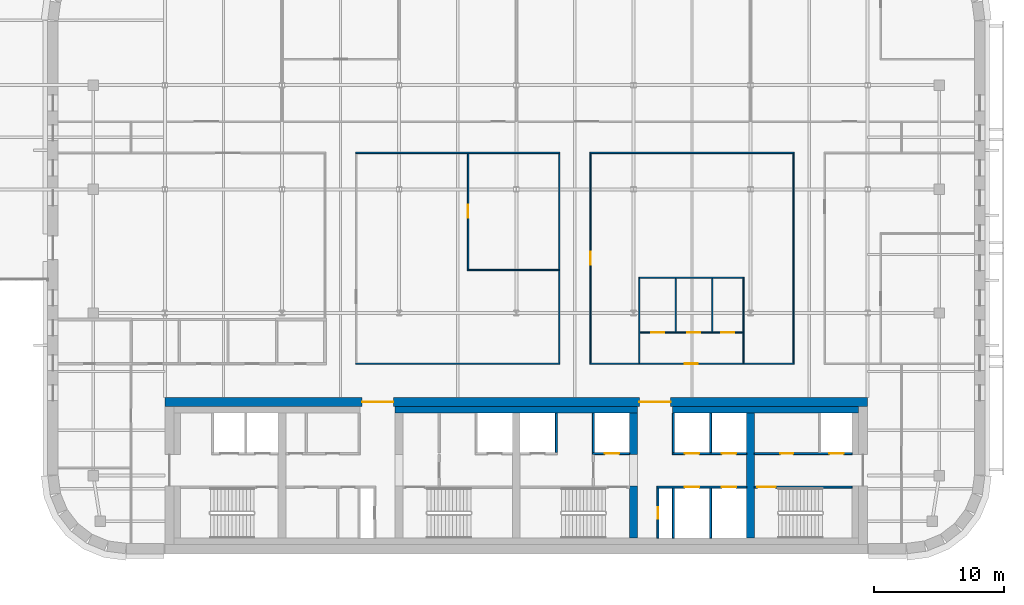
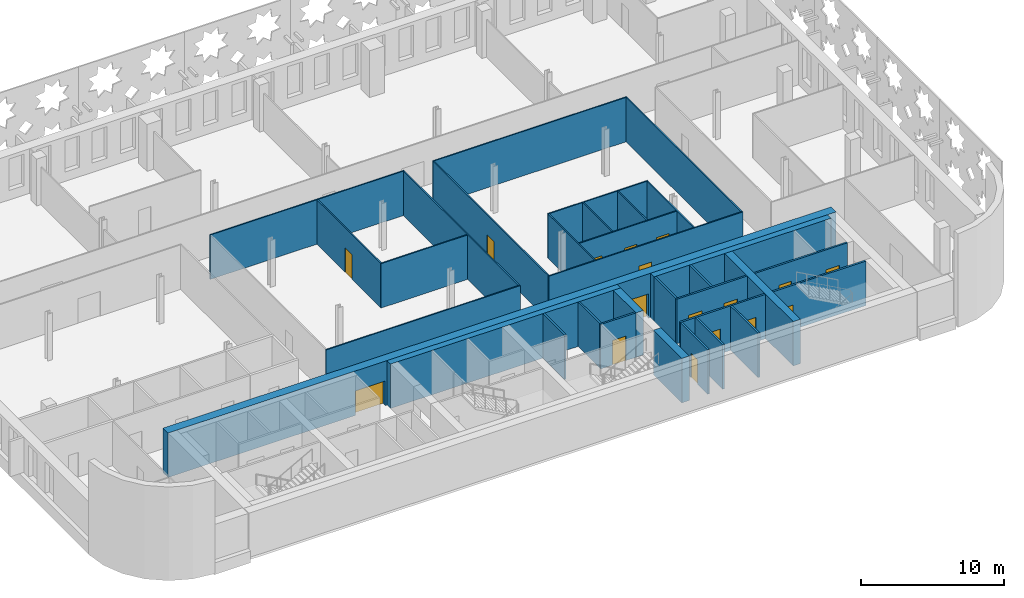
# One storey, part 8 of 17: 33 walls, 17 doors, 17 openings.
"""IFC4 building model written with IfcOpenShell, lengths in metres."""

from ifc_helpers import new_model, si_unit, direction, frame, frame_2d, origin, place, context, subcontext, project, spatial, rectangle, extrude, material, layer, layer_set, type_object, element, fill, save


model = new_model("IFC4")

# Units and contexts
model_context = context("Model", 3, precision=1e-05, world=origin(), true_north=direction((0.0, 1.0)))
body_context = subcontext(model_context, "Body", "Model", "MODEL_VIEW")
ifc_project = project(units=[si_unit("LENGTHUNIT", "METRE"), si_unit("AREAUNIT", "SQUARE_METRE"), si_unit("VOLUMEUNIT", "CUBIC_METRE"), si_unit("PLANEANGLEUNIT", "RADIAN"), si_unit("MASSUNIT", "GRAM", prefix="KILO")], contexts=[model_context])

# Site, building, storey
site_placement = place(None, origin())
site = spatial("IfcSite", under=ifc_project, at=site_placement, CompositionType="ELEMENT")
building_placement = place(site_placement, origin())
building = spatial("IfcBuilding", under=site, at=building_placement, Name="Zellij Exchange Tower", CompositionType="ELEMENT")
storey_placement = place(building_placement, frame((0.0, 0.0, 256.5)))
storey = spatial("IfcBuildingStorey", under=building, at=storey_placement, Name="L60", CompositionType="ELEMENT", Elevation=256.5)

# Walls
ifc_material_1 = material(Name="Concrete C50/60", Category="concrete")
ifc_layer_1 = layer(ifc_material_1, 0.60009765625)
ifc_layer_set_1 = layer_set([ifc_layer_1], Name="Concrete C50/60")
wall_type_1 = type_object("IfcWallType", Name="CORE-CW 600 C50/60", PredefinedType="SHEAR", material=ifc_layer_set_1)
wall_1_placement = place(storey_placement, frame((9.0, -12.800048828125, 0.0), z_axis=(0.0, 0.0, 1.0), x_axis=(0.0, 1.0, 0.0)))
element("IfcWall", 1, at=wall_1_placement, inside=storey, type_object=wall_type_1, Name="Core cross wall pier x 9 a L60", PredefinedType="SHEAR", context=body_context, shape_type="SweptSolid", body=[
    extrude(rectangle(XDim=4.0, YDim=0.60009765625, at=frame_2d((2.0, 0.0))), origin(), (0.0, 0.0, 1.0), 3.800048828125),
])
wall_2_placement = place(storey_placement, frame((9.0, -6.375, 0.0), z_axis=(0.0, 0.0, 1.0), x_axis=(0.0, 1.0, 0.0)))
element("IfcWall", 2, at=wall_2_placement, inside=storey, type_object=wall_type_1, Name="Core cross wall pier x 9 b L60", PredefinedType="SHEAR", context=body_context, shape_type="SweptSolid", body=[
    extrude(rectangle(XDim=3.175048828125, YDim=0.60009765625, at=frame_2d((1.58740234375, 0.0))), origin(), (0.0, 0.0, 1.0), 3.800048828125),
])
wall_3_placement = place(storey_placement, frame((18.0, -12.800048828125, 0.0), z_axis=(0.0, 0.0, 1.0), x_axis=(0.0, 1.0, 0.0)))
element("IfcWall", 3, at=wall_3_placement, inside=storey, type_object=wall_type_1, Name="Core cross wall x 18 L60", PredefinedType="SHEAR", context=body_context, shape_type="SweptSolid", body=[
    extrude(rectangle(XDim=9.60009765625, YDim=0.60009765625, at=frame_2d((4.800048828125, 0.0))), origin(), (0.0, 0.0, 1.0), 3.800048828125),
])
ifc_material_2 = material(Name="Concrete C30/37", Category="concrete")
ifc_layer_2 = layer(ifc_material_2, 0.5)
ifc_layer_set_2 = layer_set([ifc_layer_2], Name="Concrete C30/37")
wall_type_2 = type_object("IfcWallType", Name="CORE-LW 500 C30/37", PredefinedType="SHEAR", material=ifc_layer_set_2)
wall_4_placement = place(storey_placement, frame((-9.300048828125, -2.949951171875, 0.0), z_axis=(0.0, 0.0, 1.0), x_axis=(1.0, 0.0, 0.0)))
element("IfcWall", 4, at=wall_4_placement, inside=storey, type_object=wall_type_2, Name="Core wall lining front.1 L60", PredefinedType="SHEAR", context=body_context, shape_type="SweptSolid", body=[
    extrude(rectangle(XDim=18.60009765625, YDim=0.5, at=frame_2d((9.300048828125, 0.0))), origin(), (0.0, 0.0, 1.0), 3.800048828125),
])
wall_5_placement = place(storey_placement, frame((12.0, -2.949951171875, 0.0), z_axis=(0.0, 0.0, 1.0), x_axis=(1.0, 0.0, 0.0)))
element("IfcWall", 5, at=wall_5_placement, inside=storey, type_object=wall_type_2, Name="Core wall lining front.2 L60", PredefinedType="SHEAR", context=body_context, shape_type="SweptSolid", body=[
    extrude(rectangle(XDim=14.300048828125, YDim=0.5, at=frame_2d((7.14990234375, 0.0))), origin(), (0.0, 0.0, 1.0), 3.800048828125),
])

# Wall, opening, door
ifc_material_3 = material(Name="Gypsum board partition")
ifc_layer_3 = layer(ifc_material_3, 0.14990234375)
ifc_layer_set_3 = layer_set([ifc_layer_3], Name="Gypsum board partition")
wall_type_3 = type_object("IfcWallType", Name="CORE-PW 150 Lift lobby wall", PredefinedType="PARTITIONING", material=ifc_layer_set_3)
wall_6_placement = place(storey_placement, frame((10.875, -12.800048828125, 0.0), z_axis=(0.0, 0.0, 1.0), x_axis=(0.0, 1.0, 0.0)))
wall_6 = element("IfcWall", 6, at=wall_6_placement, inside=storey, type_object=wall_type_3, Name="Lift lobby wall L60", PredefinedType="PARTITIONING", context=body_context, shape_type="SweptSolid", body=[
    extrude(rectangle(XDim=3.85009765625, YDim=0.14990234375, at=frame_2d((1.925048828125, 0.0))), origin(), (0.0, 0.0, 1.0), 3.800048828125),
])
opening_1_placement = place(wall_6_placement, frame((1.47509765625, 0.0, 0.0)))
opening_1 = element("IfcOpeningElement", 7, at=opening_1_placement, cuts=wall_6, Name="Opening CA-31.19", PredefinedType="OPENING", context=body_context, shape_type="SweptSolid", body=[
    extrude(rectangle(XDim=0.89990234375, YDim=2.10009765625, at=frame_2d((0.449951171875, 1.050048828125))), frame((0.0, 0.0869140625, 0.0), z_axis=(0.0, -1.0, 0.0), x_axis=(1.0, 0.0, 0.0)), (0.0, 0.0, 1.0), 0.173828125),
])
ifc_material_4 = material(Name="Hollow metal fire door")
door_type_1 = type_object("IfcDoorType", Name="CORE-D RD Riser door 900x2100 1.5 HR", OperationType="NOTDEFINED", PredefinedType="DOOR", material=ifc_material_4)
door_1_placement = place(opening_1_placement, origin())
door_1 = element("IfcDoor", 8, at=door_1_placement, inside=storey, type_object=door_type_1, Name="Riser door CA-31.19", OperationType="SINGLE_SWING_LEFT", OverallHeight=2.10009765625, OverallWidth=0.89990234375, PredefinedType="DOOR", context=body_context, shape_type="SweptSolid", body=[
    extrude(rectangle(XDim=0.89990234375, YDim=2.10009765625, at=frame_2d((0.449951171875, 1.050048828125))), frame((0.0, 0.02490234375, 0.0), z_axis=(0.0, -1.0, 0.0), x_axis=(1.0, 0.0, 0.0)), (0.0, 0.0, 1.0), 0.050048828125),
])
fill(opening_1, door_1)

# Walls
ifc_material_5 = material(Name="Gypsum shaft wall system")
ifc_layer_4 = layer(ifc_material_5, 0.14990234375)
ifc_layer_set_4 = layer_set([ifc_layer_4], Name="Gypsum shaft wall system")
wall_type_4 = type_object("IfcWallType", Name="CORE-PW 150 Lift shaft wall", PredefinedType="PARTITIONING", material=ifc_layer_set_4)
for number, where, z_axis, x_axis, name in (
    (9, (3.074951171875, -6.22509765625, 0.0), (0.0, 0.0, 1.0), (0.0, 1.0, 0.0), "Lift shaft wall L60"),
    (10, (5.925048828125, -6.22509765625, 0.0), (0.0, 0.0, 1.0), (0.0, 1.0, 0.0), "Lift shaft wall L60"),
    (11, (12.074951171875, -6.22509765625, 0.0), (0.0, 0.0, 1.0), (0.0, 1.0, 0.0), "Lift shaft wall L60"),
    (12, (14.925048828125, -6.22509765625, 0.0), (0.0, 0.0, 1.0), (0.0, 1.0, 0.0), "Lift shaft wall L60"),
):
    element("IfcWall", number, at=place(storey_placement, frame(where, z_axis=z_axis, x_axis=x_axis)), inside=storey, type_object=wall_type_4, Name=name, PredefinedType="PARTITIONING", context=body_context, shape_type="SweptSolid", body=[
        extrude(rectangle(XDim=3.025146484375, YDim=0.14990234375, at=frame_2d((1.5126953125, 0.0))), origin(), (0.0, 0.0, 1.0), 3.800048828125),
    ])
for number, where, z_axis, x_axis, name in (
    (13, (12.074951171875, -12.800048828125, 0.0), (0.0, 0.0, 1.0), (0.0, 1.0, 0.0), "Lift shaft wall L60"),
    (14, (14.925048828125, -12.800048828125, 0.0), (0.0, 0.0, 1.0), (0.0, 1.0, 0.0), "Lift shaft wall L60"),
):
    element("IfcWall", number, at=place(storey_placement, frame(where, z_axis=z_axis, x_axis=x_axis)), inside=storey, type_object=wall_type_4, Name=name, PredefinedType="PARTITIONING", context=body_context, shape_type="SweptSolid", body=[
        extrude(rectangle(XDim=3.85009765625, YDim=0.14990234375, at=frame_2d((1.925048828125, 0.0))), origin(), (0.0, 0.0, 1.0), 3.800048828125),
    ])

# Wall, opening, door
wall_7_placement = place(storey_placement, frame((5.85009765625, -6.300048828125, 0.0), z_axis=(0.0, 0.0, 1.0), x_axis=(1.0, 0.0, 0.0)))
wall_7 = element("IfcWall", 15, at=wall_7_placement, inside=storey, type_object=wall_type_4, Name="Lift shaft wall L60", PredefinedType="PARTITIONING", context=body_context, shape_type="SweptSolid", body=[
    extrude(rectangle(XDim=2.849853515625, YDim=0.14990234375, at=frame_2d((1.4248046875, 0.0))), origin(), (0.0, 0.0, 1.0), 3.800048828125),
])
opening_2_placement = place(wall_7_placement, frame((0.949951171875, 0.0, 0.0)))
opening_2 = element("IfcOpeningElement", 16, at=opening_2_placement, cuts=wall_7, Name="Opening CA-31.16", PredefinedType="OPENING", context=body_context, shape_type="SweptSolid", body=[
    extrude(rectangle(XDim=1.10009765625, YDim=2.10009765625, at=frame_2d((0.550048828125, 1.050048828125))), frame((0.0, 0.0869140625, 0.0), z_axis=(0.0, -1.0, 0.0), x_axis=(1.0, 0.0, 0.0)), (0.0, 0.0, 1.0), 0.173828125),
])
door_type_2 = type_object("IfcDoorType", Name="CORE-D LD Lift landing door 1100x2100 1.5 HR", OperationType="NOTDEFINED", PredefinedType="DOOR", material=ifc_material_4)
door_2_placement = place(opening_2_placement, origin())
door_2 = element("IfcDoor", 17, at=door_2_placement, inside=storey, type_object=door_type_2, Name="Lift landing door CA-31.16", OperationType="SLIDING_TO_RIGHT", OverallHeight=2.10009765625, OverallWidth=1.10009765625, PredefinedType="DOOR", context=body_context, shape_type="SweptSolid", body=[
    extrude(rectangle(XDim=1.10009765625, YDim=2.10009765625, at=frame_2d((0.550048828125, 1.050048828125))), frame((0.0, 0.02490234375, 0.0), z_axis=(0.0, -1.0, 0.0), x_axis=(1.0, 0.0, 0.0)), (0.0, 0.0, 1.0), 0.050048828125),
])
fill(opening_2, door_2)

# Wall, openings, doors
wall_8_placement = place(storey_placement, frame((12.0, -6.300048828125, 0.0), z_axis=(0.0, 0.0, 1.0), x_axis=(1.0, 0.0, 0.0)))
wall_8 = element("IfcWall", 18, at=wall_8_placement, inside=storey, type_object=wall_type_4, Name="Lift shaft wall L60", PredefinedType="PARTITIONING", context=body_context, shape_type="SweptSolid", body=[
    extrude(rectangle(XDim=5.699951171875, YDim=0.14990234375, at=frame_2d((2.85009765625, 0.0))), origin(), (0.0, 0.0, 1.0), 3.800048828125),
])
opening_3_placement = place(wall_8_placement, frame((0.949951171875, 0.0, 0.0)))
opening_3 = element("IfcOpeningElement", 19, at=opening_3_placement, cuts=wall_8, Name="Opening CA-31.21", PredefinedType="OPENING", context=body_context, shape_type="SweptSolid", body=[
    extrude(rectangle(XDim=1.10009765625, YDim=2.10009765625, at=frame_2d((0.550048828125, 1.050048828125))), frame((0.0, 0.0869140625, 0.0), z_axis=(0.0, -1.0, 0.0), x_axis=(1.0, 0.0, 0.0)), (0.0, 0.0, 1.0), 0.173828125),
])
opening_4_placement = place(wall_8_placement, frame((3.800048828125, 0.0, 0.0)))
opening_4 = element("IfcOpeningElement", 20, at=opening_4_placement, cuts=wall_8, Name="Opening CA-31.23", PredefinedType="OPENING", context=body_context, shape_type="SweptSolid", body=[
    extrude(rectangle(XDim=1.10009765625, YDim=2.10009765625, at=frame_2d((0.550048828125, 1.050048828125))), frame((0.0, 0.0869140625, 0.0), z_axis=(0.0, -1.0, 0.0), x_axis=(1.0, 0.0, 0.0)), (0.0, 0.0, 1.0), 0.173828125),
])
door_3_placement = place(opening_3_placement, origin())
door_3 = element("IfcDoor", 21, at=door_3_placement, inside=storey, type_object=door_type_2, Name="Lift landing door CA-31.21", OperationType="SLIDING_TO_LEFT", OverallHeight=2.10009765625, OverallWidth=1.10009765625, PredefinedType="DOOR", context=body_context, shape_type="SweptSolid", body=[
    extrude(rectangle(XDim=1.10009765625, YDim=2.10009765625, at=frame_2d((0.550048828125, 1.050048828125))), frame((0.0, 0.02490234375, 0.0), z_axis=(0.0, -1.0, 0.0), x_axis=(1.0, 0.0, 0.0)), (0.0, 0.0, 1.0), 0.050048828125),
])
fill(opening_3, door_3)
door_4_placement = place(opening_4_placement, origin())
door_4 = element("IfcDoor", 22, at=door_4_placement, inside=storey, type_object=door_type_2, Name="Lift landing door CA-31.23", OperationType="SLIDING_TO_LEFT", OverallHeight=2.10009765625, OverallWidth=1.10009765625, PredefinedType="DOOR", context=body_context, shape_type="SweptSolid", body=[
    extrude(rectangle(XDim=1.10009765625, YDim=2.10009765625, at=frame_2d((0.550048828125, 1.050048828125))), frame((0.0, 0.02490234375, 0.0), z_axis=(0.0, -1.0, 0.0), x_axis=(1.0, 0.0, 0.0)), (0.0, 0.0, 1.0), 0.050048828125),
])
fill(opening_4, door_4)

wall_9_placement = place(storey_placement, frame((18.300048828125, -6.300048828125, 0.0), z_axis=(0.0, 0.0, 1.0), x_axis=(1.0, 0.0, 0.0)))
wall_9 = element("IfcWall", 23, at=wall_9_placement, inside=storey, type_object=wall_type_4, Name="Lift shaft wall L60", PredefinedType="PARTITIONING", context=body_context, shape_type="SweptSolid", body=[
    extrude(rectangle(XDim=7.5, YDim=0.14990234375, at=frame_2d((3.75, 0.0))), origin(), (0.0, 0.0, 1.0), 3.800048828125),
])
opening_5_placement = place(wall_9_placement, frame((1.97509765625, 0.0, 0.0)))
opening_5 = element("IfcOpeningElement", 24, at=opening_5_placement, cuts=wall_9, Name="Opening CA-31.25", PredefinedType="OPENING", context=body_context, shape_type="SweptSolid", body=[
    extrude(rectangle(XDim=1.0, YDim=2.10009765625, at=frame_2d((0.5, 1.050048828125))), frame((0.0, 0.0869140625, 0.0), z_axis=(0.0, -1.0, 0.0), x_axis=(1.0, 0.0, 0.0)), (0.0, 0.0, 1.0), 0.173828125),
])
opening_6_placement = place(wall_9_placement, frame((5.75, 0.0, 0.0)))
opening_6 = element("IfcOpeningElement", 25, at=opening_6_placement, cuts=wall_9, Name="Opening CA-31.26", PredefinedType="OPENING", context=body_context, shape_type="SweptSolid", body=[
    extrude(rectangle(XDim=1.10009765625, YDim=2.10009765625, at=frame_2d((0.550048828125, 1.050048828125))), frame((0.0, 0.0869140625, 0.0), z_axis=(0.0, -1.0, 0.0), x_axis=(1.0, 0.0, 0.0)), (0.0, 0.0, 1.0), 0.173828125),
])
door_type_3 = type_object("IfcDoorType", Name="CORE-D CD Core room door 1000x2100 1 HR", OperationType="NOTDEFINED", PredefinedType="DOOR", material=ifc_material_4)
door_5_placement = place(opening_5_placement, origin())
door_5 = element("IfcDoor", 26, at=door_5_placement, inside=storey, type_object=door_type_3, Name="Core room door CA-31.25", OperationType="SINGLE_SWING_LEFT", OverallHeight=2.10009765625, OverallWidth=1.0, PredefinedType="DOOR", context=body_context, shape_type="SweptSolid", body=[
    extrude(rectangle(XDim=1.0, YDim=2.10009765625, at=frame_2d((0.5, 1.050048828125))), frame((0.0, 0.02490234375, 0.0), z_axis=(0.0, -1.0, 0.0), x_axis=(1.0, 0.0, 0.0)), (0.0, 0.0, 1.0), 0.050048828125),
])
fill(opening_5, door_5)
door_6_placement = place(opening_6_placement, origin())
door_6 = element("IfcDoor", 27, at=door_6_placement, inside=storey, type_object=door_type_2, Name="Lift landing door CA-31.26", OperationType="SLIDING_TO_RIGHT", OverallHeight=2.10009765625, OverallWidth=1.10009765625, PredefinedType="DOOR", context=body_context, shape_type="SweptSolid", body=[
    extrude(rectangle(XDim=1.10009765625, YDim=2.10009765625, at=frame_2d((0.550048828125, 1.050048828125))), frame((0.0, 0.02490234375, 0.0), z_axis=(0.0, -1.0, 0.0), x_axis=(1.0, 0.0, 0.0)), (0.0, 0.0, 1.0), 0.050048828125),
])
fill(opening_6, door_6)

wall_10_placement = place(storey_placement, frame((10.800048828125, -8.875, 0.0), z_axis=(0.0, 0.0, 1.0), x_axis=(1.0, 0.0, 0.0)))
wall_10 = element("IfcWall", 28, at=wall_10_placement, inside=storey, type_object=wall_type_4, Name="Lift shaft wall L60", PredefinedType="PARTITIONING", context=body_context, shape_type="SweptSolid", body=[
    extrude(rectangle(XDim=6.89990234375, YDim=0.14990234375, at=frame_2d((3.449951171875, 0.0))), origin(), (0.0, 0.0, 1.0), 3.800048828125),
])
opening_7_placement = place(wall_10_placement, frame((2.14990234375, 0.0, 0.0)))
opening_7 = element("IfcOpeningElement", 29, at=opening_7_placement, cuts=wall_10, Name="Opening CA-31.20", PredefinedType="OPENING", context=body_context, shape_type="SweptSolid", body=[
    extrude(rectangle(XDim=1.10009765625, YDim=2.10009765625, at=frame_2d((0.550048828125, 1.050048828125))), frame((0.0, 0.0869140625, 0.0), z_axis=(0.0, -1.0, 0.0), x_axis=(1.0, 0.0, 0.0)), (0.0, 0.0, 1.0), 0.173828125),
])
opening_8_placement = place(wall_10_placement, frame((5.0, 0.0, 0.0)))
opening_8 = element("IfcOpeningElement", 30, at=opening_8_placement, cuts=wall_10, Name="Opening CA-31.22", PredefinedType="OPENING", context=body_context, shape_type="SweptSolid", body=[
    extrude(rectangle(XDim=1.10009765625, YDim=2.10009765625, at=frame_2d((0.550048828125, 1.050048828125))), frame((0.0, 0.0869140625, 0.0), z_axis=(0.0, -1.0, 0.0), x_axis=(1.0, 0.0, 0.0)), (0.0, 0.0, 1.0), 0.173828125),
])
door_7_placement = place(opening_7_placement, origin())
door_7 = element("IfcDoor", 31, at=door_7_placement, inside=storey, type_object=door_type_2, Name="Lift landing door CA-31.20", OperationType="SLIDING_TO_RIGHT", OverallHeight=2.10009765625, OverallWidth=1.10009765625, PredefinedType="DOOR", context=body_context, shape_type="SweptSolid", body=[
    extrude(rectangle(XDim=1.10009765625, YDim=2.10009765625, at=frame_2d((0.550048828125, 1.050048828125))), frame((0.0, 0.02490234375, 0.0), z_axis=(0.0, -1.0, 0.0), x_axis=(1.0, 0.0, 0.0)), (0.0, 0.0, 1.0), 0.050048828125),
])
fill(opening_7, door_7)
door_8_placement = place(opening_8_placement, origin())
door_8 = element("IfcDoor", 32, at=door_8_placement, inside=storey, type_object=door_type_2, Name="Lift landing door CA-31.22", OperationType="SLIDING_TO_RIGHT", OverallHeight=2.10009765625, OverallWidth=1.10009765625, PredefinedType="DOOR", context=body_context, shape_type="SweptSolid", body=[
    extrude(rectangle(XDim=1.10009765625, YDim=2.10009765625, at=frame_2d((0.550048828125, 1.050048828125))), frame((0.0, 0.02490234375, 0.0), z_axis=(0.0, -1.0, 0.0), x_axis=(1.0, 0.0, 0.0)), (0.0, 0.0, 1.0), 0.050048828125),
])
fill(opening_8, door_8)

ifc_layer_5 = layer(ifc_material_1, 0.699951171875)
ifc_layer_set_5 = layer_set([ifc_layer_5], Name="Concrete C50/60")
wall_type_5 = type_object("IfcWallType", Name="CORE-SW 700 C50/60", PredefinedType="SHEAR", material=ifc_layer_set_5)
wall_11_placement = place(storey_placement, frame((-27.0, -2.35009765625, 0.0), z_axis=(0.0, 0.0, 1.0), x_axis=(1.0, 0.0, 0.0)))
wall_11 = element("IfcWall", 33, at=wall_11_placement, inside=storey, type_object=wall_type_5, Name="Core shear wall front L60", PredefinedType="SHEAR", context=body_context, shape_type="SweptSolid", body=[
    extrude(rectangle(XDim=54.0, YDim=0.699951171875, at=frame_2d((27.0, 0.0))), origin(), (0.0, 0.0, 1.0), 3.800048828125),
])
opening_9_placement = place(wall_11_placement, frame((15.14990234375, 0.0, 0.0)))
opening_9 = element("IfcOpeningElement", 34, at=opening_9_placement, cuts=wall_11, Name="Opening CA-31.10", PredefinedType="OPENING", context=body_context, shape_type="SweptSolid", body=[
    extrude(rectangle(XDim=2.39990234375, YDim=2.10009765625, at=frame_2d((1.199951171875, 1.050048828125))), frame((0.0, 0.36181640625, 0.0), z_axis=(0.0, -1.0, 0.0), x_axis=(1.0, 0.0, 0.0)), (0.0, 0.0, 1.0), 0.723876953125),
])
opening_10_placement = place(wall_11_placement, frame((36.449951171875, 0.0, 0.0)))
opening_10 = element("IfcOpeningElement", 35, at=opening_10_placement, cuts=wall_11, Name="Opening CA-31.18", PredefinedType="OPENING", context=body_context, shape_type="SweptSolid", body=[
    extrude(rectangle(XDim=2.39990234375, YDim=2.10009765625, at=frame_2d((1.199951171875, 1.050048828125))), frame((0.0, 0.36181640625, 0.0), z_axis=(0.0, -1.0, 0.0), x_axis=(1.0, 0.0, 0.0)), (0.0, 0.0, 1.0), 0.723876953125),
])
door_type_4 = type_object("IfcDoorType", Name="CORE-D CE Core entrance door 2400x2100 20 MIN", OperationType="NOTDEFINED", PredefinedType="DOOR", material=ifc_material_4)
door_9_placement = place(opening_9_placement, origin())
door_9 = element("IfcDoor", 36, at=door_9_placement, inside=storey, type_object=door_type_4, Name="Core entrance door CA-31.10", OperationType="DOUBLE_DOOR_SINGLE_SWING", OverallHeight=2.10009765625, OverallWidth=2.39990234375, PredefinedType="DOOR", context=body_context, shape_type="SweptSolid", body=[
    extrude(rectangle(XDim=2.39990234375, YDim=2.10009765625, at=frame_2d((1.199951171875, 1.050048828125))), frame((0.0, 0.02490234375, 0.0), z_axis=(0.0, -1.0, 0.0), x_axis=(1.0, 0.0, 0.0)), (0.0, 0.0, 1.0), 0.050048828125),
])
fill(opening_9, door_9)
door_10_placement = place(opening_10_placement, origin())
door_10 = element("IfcDoor", 37, at=door_10_placement, inside=storey, type_object=door_type_4, Name="Core entrance door CA-31.18", OperationType="DOUBLE_DOOR_SINGLE_SWING", OverallHeight=2.10009765625, OverallWidth=2.39990234375, PredefinedType="DOOR", context=body_context, shape_type="SweptSolid", body=[
    extrude(rectangle(XDim=2.39990234375, YDim=2.10009765625, at=frame_2d((1.199951171875, 1.050048828125))), frame((0.0, 0.02490234375, 0.0), z_axis=(0.0, -1.0, 0.0), x_axis=(1.0, 0.0, 0.0)), (0.0, 0.0, 1.0), 0.050048828125),
])
fill(opening_10, door_10)

# Wall, opening, door
ifc_layer_6 = layer(ifc_material_1, 0.14990234375)
ifc_layer_set_6 = layer_set([ifc_layer_6], Name="Concrete C50/60")
wall_type_6 = type_object("IfcWallType", Name="CORE-SWS 150 C50/60", PredefinedType="SHEAR", material=ifc_layer_set_6)
wall_12_placement = place(storey_placement, frame((18.300048828125, -8.875, 0.0), z_axis=(0.0, 0.0, 1.0), x_axis=(1.0, 0.0, 0.0)))
wall_12 = element("IfcWall", 38, at=wall_12_placement, inside=storey, type_object=wall_type_6, Name="Stair enclosure wall L60", PredefinedType="SHEAR", context=body_context, shape_type="SweptSolid", body=[
    extrude(rectangle(XDim=7.5, YDim=0.14990234375, at=frame_2d((3.75, 0.0))), origin(), (0.0, 0.0, 1.0), 3.800048828125),
])
opening_11_placement = place(wall_12_placement, frame((0.22509765625, 0.0, 0.0)))
opening_11 = element("IfcOpeningElement", 39, at=opening_11_placement, cuts=wall_12, Name="Opening CA-31.24", PredefinedType="OPENING", context=body_context, shape_type="SweptSolid", body=[
    extrude(rectangle(XDim=1.39990234375, YDim=2.10009765625, at=frame_2d((0.699951171875, 1.050048828125))), frame((0.0, 0.0869140625, 0.0), z_axis=(0.0, -1.0, 0.0), x_axis=(1.0, 0.0, 0.0)), (0.0, 0.0, 1.0), 0.173828125),
])
door_type_5 = type_object("IfcDoorType", Name="CORE-D SD Stair door 1400x2100 1.5 HR", OperationType="NOTDEFINED", PredefinedType="DOOR", material=ifc_material_4)
door_11_placement = place(opening_11_placement, origin())
door_11 = element("IfcDoor", 40, at=door_11_placement, inside=storey, type_object=door_type_5, Name="Stair door CA-31.24", OperationType="DOUBLE_DOOR_SINGLE_SWING", OverallHeight=2.10009765625, OverallWidth=1.39990234375, PredefinedType="DOOR", context=body_context, shape_type="SweptSolid", body=[
    extrude(rectangle(XDim=1.39990234375, YDim=2.10009765625, at=frame_2d((0.699951171875, 1.050048828125))), frame((0.0, 0.02490234375, 0.0), z_axis=(0.0, -1.0, 0.0), x_axis=(1.0, 0.0, 0.0)), (0.0, 0.0, 1.0), 0.050048828125),
])
fill(opening_11, door_11)

# Walls
ifc_material_6 = material(Name="Gypsum board partition on steel studs", Category="steel")
ifc_layer_7 = layer(ifc_material_6, 0.10009765625)
ifc_layer_set_7 = layer_set([ifc_layer_7], Name="Gypsum board partition on steel studs")
wall_type_7 = type_object("IfcWallType", Name="FIT-PARTITION-100", PredefinedType="PARTITIONING", material=ifc_layer_set_7)
wall_13_placement = place(storey_placement, frame((-12.35009765625, 0.60009765625, 0.0), z_axis=(0.0, 0.0, 1.0), x_axis=(1.0, 0.0, 0.0)))
element("IfcWall", 41, at=wall_13_placement, inside=storey, type_object=wall_type_7, Name="FIT-PARTITION-100 012", PredefinedType="PARTITIONING", context=body_context, shape_type="SweptSolid", body=[
    extrude(rectangle(XDim=15.7001953125, YDim=0.10009765625, at=frame_2d((7.85009765625, 0.0))), origin(), (0.0, 0.0, 1.0), 3.800048828125),
])
wall_14_placement = place(storey_placement, frame((3.300048828125, 0.64990234375, 0.0), z_axis=(0.0, 0.0, 1.0), x_axis=(0.0, 1.0, 0.0)))
element("IfcWall", 42, at=wall_14_placement, inside=storey, type_object=wall_type_7, Name="FIT-PARTITION-100 014", PredefinedType="PARTITIONING", context=body_context, shape_type="SweptSolid", body=[
    extrude(rectangle(XDim=16.10009765625, YDim=0.10009765625, at=frame_2d((8.050048828125, 0.0))), origin(), (0.0, 0.0, 1.0), 3.800048828125),
])

# Wall, opening, door
wall_15_placement = place(storey_placement, frame((5.64990234375, 0.60009765625, 0.0), z_axis=(0.0, 0.0, 1.0), x_axis=(1.0, 0.0, 0.0)))
wall_15 = element("IfcWall", 43, at=wall_15_placement, inside=storey, type_object=wall_type_7, Name="FIT-PARTITION-100 015", PredefinedType="PARTITIONING", context=body_context, shape_type="SweptSolid", body=[
    extrude(rectangle(XDim=15.7001953125, YDim=0.10009765625, at=frame_2d((7.85009765625, 0.0))), origin(), (0.0, 0.0, 1.0), 3.800048828125),
])
opening_12_placement = place(wall_15_placement, frame((7.300048828125, 0.0, 0.0)))
opening_12 = element("IfcOpeningElement", 44, at=opening_12_placement, cuts=wall_15, Name="Opening O4E.08", PredefinedType="OPENING", context=body_context, shape_type="SweptSolid", body=[
    extrude(rectangle(XDim=1.0, YDim=2.10009765625, at=frame_2d((0.5, 1.050048828125))), frame((0.0, 0.06201171875, 0.0), z_axis=(0.0, -1.0, 0.0), x_axis=(1.0, 0.0, 0.0)), (0.0, 0.0, 1.0), 0.1240234375),
])
ifc_material_7 = material(Name="Timber door set", Category="wood")
door_type_6 = type_object("IfcDoorType", Name="FIT-D2-WIDE-1000X2100", OperationType="SINGLE_SWING_LEFT", PredefinedType="DOOR", material=ifc_material_7)
door_12_placement = place(opening_12_placement, origin())
door_12 = element("IfcDoor", 45, at=door_12_placement, inside=storey, type_object=door_type_6, Name="Door O4E.08", OperationType="SINGLE_SWING_RIGHT", OverallHeight=2.10009765625, OverallWidth=1.0, PredefinedType="DOOR", context=body_context, shape_type="SweptSolid", body=[
    extrude(rectangle(XDim=1.0, YDim=2.10009765625, at=frame_2d((0.5, 1.050048828125))), frame((0.0, 0.02490234375, 0.0), z_axis=(0.0, -1.0, 0.0), x_axis=(1.0, 0.0, 0.0)), (0.0, 0.0, 1.0), 0.050048828125),
])
fill(opening_12, door_12)

wall_16_placement = place(storey_placement, frame((5.699951171875, 0.64990234375, 0.0), z_axis=(0.0, 0.0, 1.0), x_axis=(0.0, 1.0, 0.0)))
wall_16 = element("IfcWall", 46, at=wall_16_placement, inside=storey, type_object=wall_type_7, Name="FIT-PARTITION-100 016", PredefinedType="PARTITIONING", context=body_context, shape_type="SweptSolid", body=[
    extrude(rectangle(XDim=16.10009765625, YDim=0.10009765625, at=frame_2d((8.050048828125, 0.0))), origin(), (0.0, 0.0, 1.0), 3.800048828125),
])
opening_13_placement = place(wall_16_placement, frame((7.550048828125, 0.0, 0.0)))
opening_13 = element("IfcOpeningElement", 47, at=opening_13_placement, cuts=wall_16, Name="Opening O4E.14", PredefinedType="OPENING", context=body_context, shape_type="SweptSolid", body=[
    extrude(rectangle(XDim=1.0, YDim=2.10009765625, at=frame_2d((0.5, 1.050048828125))), frame((0.0, 0.06201171875, 0.0), z_axis=(0.0, -1.0, 0.0), x_axis=(1.0, 0.0, 0.0)), (0.0, 0.0, 1.0), 0.1240234375),
])
door_13_placement = place(opening_13_placement, origin())
door_13 = element("IfcDoor", 48, at=door_13_placement, inside=storey, type_object=door_type_6, Name="Door O4E.14", OperationType="SINGLE_SWING_LEFT", OverallHeight=2.10009765625, OverallWidth=1.0, PredefinedType="DOOR", context=body_context, shape_type="SweptSolid", body=[
    extrude(rectangle(XDim=1.0, YDim=2.10009765625, at=frame_2d((0.5, 1.050048828125))), frame((0.0, 0.02490234375, 0.0), z_axis=(0.0, -1.0, 0.0), x_axis=(1.0, 0.0, 0.0)), (0.0, 0.0, 1.0), 0.050048828125),
])
fill(opening_13, door_13)

# Walls
for number, where, z_axis, x_axis, name in (
    (49, (9.449951171875, 0.64990234375, 0.0), (0.0, 0.0, 1.0), (0.0, 1.0, 0.0), "FIT-PARTITION-100 017"),
    (50, (17.449951171875, 0.64990234375, 0.0), (0.0, 0.0, 1.0), (0.0, 1.0, 0.0), "FIT-PARTITION-100 018"),
):
    element("IfcWall", number, at=place(storey_placement, frame(where, z_axis=z_axis, x_axis=x_axis)), inside=storey, type_object=wall_type_7, Name=name, PredefinedType="PARTITIONING", context=body_context, shape_type="SweptSolid", body=[
        extrude(rectangle(XDim=6.5, YDim=0.10009765625, at=frame_2d((3.25, 0.0))), origin(), (0.0, 0.0, 1.0), 3.800048828125),
    ])
wall_17_placement = place(storey_placement, frame((21.300048828125, 0.64990234375, 0.0), z_axis=(0.0, 0.0, 1.0), x_axis=(0.0, 1.0, 0.0)))
element("IfcWall", 51, at=wall_17_placement, inside=storey, type_object=wall_type_7, Name="FIT-PARTITION-100 019", PredefinedType="PARTITIONING", context=body_context, shape_type="SweptSolid", body=[
    extrude(rectangle(XDim=16.10009765625, YDim=0.10009765625, at=frame_2d((8.050048828125, 0.0))), origin(), (0.0, 0.0, 1.0), 3.800048828125),
])

# Wall, openings, doors
wall_18_placement = place(storey_placement, frame((9.5, 3.0, 0.0), z_axis=(0.0, 0.0, 1.0), x_axis=(1.0, 0.0, 0.0)))
wall_18 = element("IfcWall", 52, at=wall_18_placement, inside=storey, type_object=wall_type_7, Name="FIT-PARTITION-100 023", PredefinedType="PARTITIONING", context=body_context, shape_type="SweptSolid", body=[
    extrude(rectangle(XDim=7.89990234375, YDim=0.10009765625, at=frame_2d((3.949951171875, 0.0))), origin(), (0.0, 0.0, 1.0), 3.800048828125),
])
opening_14_placement = place(wall_18_placement, frame((0.85009765625, 0.0, 0.0)))
opening_14 = element("IfcOpeningElement", 53, at=opening_14_placement, cuts=wall_18, Name="Opening O4E.09", PredefinedType="OPENING", context=body_context, shape_type="SweptSolid", body=[
    extrude(rectangle(XDim=1.0, YDim=2.10009765625, at=frame_2d((0.5, 1.050048828125))), frame((0.0, 0.06201171875, 0.0), z_axis=(0.0, -1.0, 0.0), x_axis=(1.0, 0.0, 0.0)), (0.0, 0.0, 1.0), 0.1240234375),
])
opening_15_placement = place(wall_18_placement, frame((3.64990234375, 0.0, 0.0)))
opening_15 = element("IfcOpeningElement", 54, at=opening_15_placement, cuts=wall_18, Name="Opening O4E.10", PredefinedType="OPENING", context=body_context, shape_type="SweptSolid", body=[
    extrude(rectangle(XDim=1.0, YDim=2.10009765625, at=frame_2d((0.5, 1.050048828125))), frame((0.0, 0.06201171875, 0.0), z_axis=(0.0, -1.0, 0.0), x_axis=(1.0, 0.0, 0.0)), (0.0, 0.0, 1.0), 0.1240234375),
])
opening_16_placement = place(wall_18_placement, frame((6.25, 0.0, 0.0)))
opening_16 = element("IfcOpeningElement", 55, at=opening_16_placement, cuts=wall_18, Name="Opening O4E.11", PredefinedType="OPENING", context=body_context, shape_type="SweptSolid", body=[
    extrude(rectangle(XDim=1.0, YDim=2.10009765625, at=frame_2d((0.5, 1.050048828125))), frame((0.0, 0.06201171875, 0.0), z_axis=(0.0, -1.0, 0.0), x_axis=(1.0, 0.0, 0.0)), (0.0, 0.0, 1.0), 0.1240234375),
])
door_14_placement = place(opening_14_placement, origin())
door_14 = element("IfcDoor", 56, at=door_14_placement, inside=storey, type_object=door_type_6, Name="Door O4E.09", OperationType="SINGLE_SWING_RIGHT", OverallHeight=2.10009765625, OverallWidth=1.0, PredefinedType="DOOR", context=body_context, shape_type="SweptSolid", body=[
    extrude(rectangle(XDim=1.0, YDim=2.10009765625, at=frame_2d((0.5, 1.050048828125))), frame((0.0, 0.02490234375, 0.0), z_axis=(0.0, -1.0, 0.0), x_axis=(1.0, 0.0, 0.0)), (0.0, 0.0, 1.0), 0.050048828125),
])
fill(opening_14, door_14)
door_15_placement = place(opening_15_placement, origin())
door_15 = element("IfcDoor", 57, at=door_15_placement, inside=storey, type_object=door_type_6, Name="Door O4E.10", OperationType="SINGLE_SWING_RIGHT", OverallHeight=2.10009765625, OverallWidth=1.0, PredefinedType="DOOR", context=body_context, shape_type="SweptSolid", body=[
    extrude(rectangle(XDim=1.0, YDim=2.10009765625, at=frame_2d((0.5, 1.050048828125))), frame((0.0, 0.02490234375, 0.0), z_axis=(0.0, -1.0, 0.0), x_axis=(1.0, 0.0, 0.0)), (0.0, 0.0, 1.0), 0.050048828125),
])
fill(opening_15, door_15)
door_16_placement = place(opening_16_placement, origin())
door_16 = element("IfcDoor", 58, at=door_16_placement, inside=storey, type_object=door_type_6, Name="Door O4E.11", OperationType="SINGLE_SWING_RIGHT", OverallHeight=2.10009765625, OverallWidth=1.0, PredefinedType="DOOR", context=body_context, shape_type="SweptSolid", body=[
    extrude(rectangle(XDim=1.0, YDim=2.10009765625, at=frame_2d((0.5, 1.050048828125))), frame((0.0, 0.02490234375, 0.0), z_axis=(0.0, -1.0, 0.0), x_axis=(1.0, 0.0, 0.0)), (0.0, 0.0, 1.0), 0.050048828125),
])
fill(opening_16, door_16)

# Walls
for number, where, z_axis, x_axis, name in (
    (59, (12.25, 3.050048828125, 0.0), (0.0, 0.0, 1.0), (0.0, 1.0, 0.0), "FIT-PARTITION-100 024"),
    (60, (15.050048828125, 3.050048828125, 0.0), (0.0, 0.0, 1.0), (0.0, 1.0, 0.0), "FIT-PARTITION-100 025"),
):
    element("IfcWall", number, at=place(storey_placement, frame(where, z_axis=z_axis, x_axis=x_axis)), inside=storey, type_object=wall_type_7, Name=name, PredefinedType="PARTITIONING", context=body_context, shape_type="SweptSolid", body=[
        extrude(rectangle(XDim=4.099853515625, YDim=0.10009765625, at=frame_2d((2.0498046875, 0.0))), origin(), (0.0, 0.0, 1.0), 3.800048828125),
    ])
wall_19_placement = place(storey_placement, frame((9.39990234375, 7.199951171875, 0.0), z_axis=(0.0, 0.0, 1.0), x_axis=(1.0, 0.0, 0.0)))
element("IfcWall", 61, at=wall_19_placement, inside=storey, type_object=wall_type_7, Name="FIT-PARTITION-100 030", PredefinedType="PARTITIONING", context=body_context, shape_type="SweptSolid", body=[
    extrude(rectangle(XDim=8.10009765625, YDim=0.10009765625, at=frame_2d((4.050048828125, 0.0))), origin(), (0.0, 0.0, 1.0), 3.800048828125),
])
wall_20_placement = place(storey_placement, frame((-3.75, 7.800048828125, 0.0), z_axis=(0.0, 0.0, 1.0), x_axis=(1.0, 0.0, 0.0)))
element("IfcWall", 62, at=wall_20_placement, inside=storey, type_object=wall_type_7, Name="FIT-PARTITION-100 031", PredefinedType="PARTITIONING", context=body_context, shape_type="SweptSolid", body=[
    extrude(rectangle(XDim=7.0, YDim=0.10009765625, at=frame_2d((3.5, 0.0))), origin(), (0.0, 0.0, 1.0), 3.800048828125),
])

# Wall, opening, door
wall_21_placement = place(storey_placement, frame((-3.699951171875, 7.85009765625, 0.0), z_axis=(0.0, 0.0, 1.0), x_axis=(0.0, 1.0, 0.0)))
wall_21 = element("IfcWall", 63, at=wall_21_placement, inside=storey, type_object=wall_type_7, Name="FIT-PARTITION-100 032", PredefinedType="PARTITIONING", context=body_context, shape_type="SweptSolid", body=[
    extrude(rectangle(XDim=8.89990234375, YDim=0.10009765625, at=frame_2d((4.449951171875, 0.0))), origin(), (0.0, 0.0, 1.0), 3.800048828125),
])
opening_17_placement = place(wall_21_placement, frame((3.949951171875, 0.0, 0.0)))
opening_17 = element("IfcOpeningElement", 64, at=opening_17_placement, cuts=wall_21, Name="Opening O4E.15", PredefinedType="OPENING", context=body_context, shape_type="SweptSolid", body=[
    extrude(rectangle(XDim=1.0, YDim=2.10009765625, at=frame_2d((0.5, 1.050048828125))), frame((0.0, 0.06201171875, 0.0), z_axis=(0.0, -1.0, 0.0), x_axis=(1.0, 0.0, 0.0)), (0.0, 0.0, 1.0), 0.1240234375),
])
door_17_placement = place(opening_17_placement, origin())
door_17 = element("IfcDoor", 65, at=door_17_placement, inside=storey, type_object=door_type_6, Name="Door O4E.15", OperationType="SINGLE_SWING_RIGHT", OverallHeight=2.10009765625, OverallWidth=1.0, PredefinedType="DOOR", context=body_context, shape_type="SweptSolid", body=[
    extrude(rectangle(XDim=1.0, YDim=2.10009765625, at=frame_2d((0.5, 1.050048828125))), frame((0.0, 0.02490234375, 0.0), z_axis=(0.0, -1.0, 0.0), x_axis=(1.0, 0.0, 0.0)), (0.0, 0.0, 1.0), 0.050048828125),
])
fill(opening_17, door_17)

# Walls
for number, where, z_axis, x_axis, name in (
    (66, (-12.35009765625, 16.800048828125, 0.0), (0.0, 0.0, 1.0), (1.0, 0.0, 0.0), "FIT-PARTITION-100 036"),
    (67, (5.64990234375, 16.800048828125, 0.0), (0.0, 0.0, 1.0), (1.0, 0.0, 0.0), "FIT-PARTITION-100 037"),
):
    element("IfcWall", number, at=place(storey_placement, frame(where, z_axis=z_axis, x_axis=x_axis)), inside=storey, type_object=wall_type_7, Name=name, PredefinedType="PARTITIONING", context=body_context, shape_type="SweptSolid", body=[
        extrude(rectangle(XDim=15.7001953125, YDim=0.10009765625, at=frame_2d((7.85009765625, 0.0))), origin(), (0.0, 0.0, 1.0), 3.800048828125),
    ])

save(model, "model.ifc")
